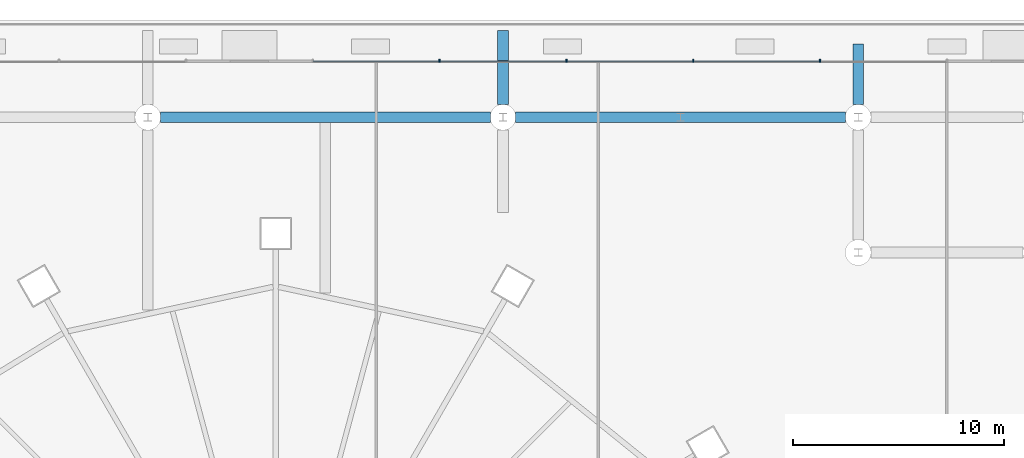
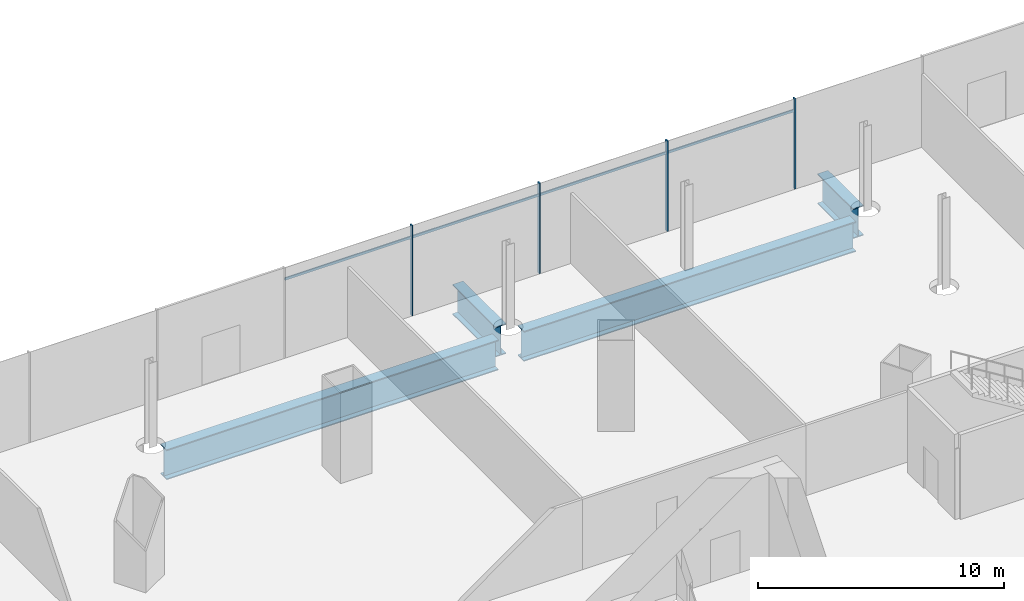
# One storey, part 31 of 56: 8 members, 4 beams, 1 element without a shape of its own.
"""IFC4 building model written with IfcOpenShell, lengths in metres."""

from ifc_helpers import new_model, si_unit, direction, frame, origin, origin_2d, place, context, subcontext, project, spatial, rectangle, i_section, extrude, material, material_profile, profile_set, type_object, element, aggregate, save


model = new_model("IFC4")

# Units and contexts
model_context = context("Model", 3, precision=1e-05, world=origin(), true_north=direction((0.0, 1.0)))
body_context = subcontext(model_context, "Body", "Model", "MODEL_VIEW")
ifc_project = project(units=[si_unit("LENGTHUNIT", "METRE"), si_unit("AREAUNIT", "SQUARE_METRE"), si_unit("VOLUMEUNIT", "CUBIC_METRE"), si_unit("PLANEANGLEUNIT", "RADIAN"), si_unit("MASSUNIT", "GRAM", prefix="KILO")], contexts=[model_context])

# Site, building, storey
site_placement = place(None, origin())
site = spatial("IfcSite", under=ifc_project, at=site_placement, CompositionType="ELEMENT")
building_placement = place(site_placement, origin())
building = spatial("IfcBuilding", under=site, at=building_placement, Name="Rimbun Link Towers", CompositionType="ELEMENT")
storey_placement = place(building_placement, frame((0.0, 0.0, 16.5)))
storey = spatial("IfcBuildingStorey", under=building, at=storey_placement, Name="L03", CompositionType="ELEMENT", Elevation=16.5)

# Curtain wall, members
ifc_material_1 = material(Name="Aluminium 6063-T6 and low-iron glass", Category="aluminium")
curtain_wall_type = type_object("IfcCurtainWallType", Name="CW3 podium shopfront", PredefinedType="NOTDEFINED", material=ifc_material_1)
curtain_wall_placement = place(storey_placement, origin())
curtain_wall = element("IfcCurtainWall", 1, at=curtain_wall_placement, inside=storey, type_object=curtain_wall_type, Name="CW3 L03 PD", PredefinedType="NOTDEFINED")
ifc_material_2 = material(Name="Aluminium 6063-T6", Category="aluminium")
ifc_material_profile_1 = material_profile(ifc_material_2, rectangle(XDim=0.14990234375, YDim=0.06005859375, at=origin_2d()), Name="MULLION 60X150")
ifc_profile_set_1 = profile_set([ifc_material_profile_1], Name="Aluminium 6063-T6")
member_type_1 = type_object("IfcMemberType", Name="CW3 mullion 60X150", PredefinedType="MULLION", material=ifc_profile_set_1)
member_1_placement = place(storey_placement, frame((-6.0, 30.074951171875, 0.0), z_axis=(0.0, 0.0, 1.0), x_axis=(0.0, 1.0, 0.0)))
member_1 = element("IfcMember", 2, at=member_1_placement, type_object=member_type_1, Name="CW3 mullion", PredefinedType="MULLION", context=body_context, shape_type="SweptSolid", body=[
    extrude(rectangle(XDim=0.14990234375, YDim=0.06005859375, at=origin_2d()), origin(), (0.0, 0.0, 1.0), 4.5),
])
member_2_placement = place(storey_placement, frame((-12.0, 30.074951171875, 0.0), z_axis=(0.0, 0.0, 1.0), x_axis=(0.0, 1.0, 0.0)))
member_2 = element("IfcMember", 3, at=member_2_placement, type_object=member_type_1, Name="CW3 mullion", PredefinedType="MULLION", context=body_context, shape_type="SweptSolid", body=[
    extrude(rectangle(XDim=0.14990234375, YDim=0.06005859375, at=origin_2d()), origin(), (0.0, 0.0, 1.0), 4.5),
])
member_3_placement = place(storey_placement, frame((-18.0, 30.074951171875, 0.0), z_axis=(0.0, 0.0, 1.0), x_axis=(0.0, 1.0, 0.0)))
member_3 = element("IfcMember", 4, at=member_3_placement, type_object=member_type_1, Name="CW3 mullion", PredefinedType="MULLION", context=body_context, shape_type="SweptSolid", body=[
    extrude(rectangle(XDim=0.14990234375, YDim=0.06005859375, at=origin_2d()), origin(), (0.0, 0.0, 1.0), 4.5),
])
member_4_placement = place(storey_placement, frame((-24.0, 30.074951171875, 0.0), z_axis=(0.0, 0.0, 1.0), x_axis=(0.0, 1.0, 0.0)))
member_4 = element("IfcMember", 5, at=member_4_placement, type_object=member_type_1, Name="CW3 mullion", PredefinedType="MULLION", context=body_context, shape_type="SweptSolid", body=[
    extrude(rectangle(XDim=0.14990234375, YDim=0.06005859375, at=origin_2d()), origin(), (0.0, 0.0, 1.0), 4.5),
])
ifc_material_3 = material(Name="Aluminium 6063-T6", Category="aluminium")
ifc_material_profile_2 = material_profile(ifc_material_3, rectangle(XDim=0.06005859375, YDim=0.1201171875, at=origin_2d()), Name="TRANSOM 60X120")
ifc_profile_set_2 = profile_set([ifc_material_profile_2], Name="Aluminium 6063-T6")
member_type_2 = type_object("IfcMemberType", Name="CW3 transom 60X120", PredefinedType="USERDEFINED", material=ifc_profile_set_2)
member_5_placement = place(storey_placement, frame((-11.969970703125, 30.053955078125, 3.89990234375), z_axis=(1.0, 0.0, 0.0), x_axis=(0.0, 1.0, 0.0)))
member_5 = element("IfcMember", 6, at=member_5_placement, type_object=member_type_2, Name="CW3 transom", ObjectType="TRANSOM", PredefinedType="USERDEFINED", context=body_context, shape_type="SweptSolid", body=[
    extrude(rectangle(XDim=0.06005859375, YDim=0.1201171875, at=origin_2d()), origin(), (0.0, 0.0, 1.0), 5.93994140625),
])
member_6_placement = place(storey_placement, frame((-17.969970703125, 30.053955078125, 3.89990234375), z_axis=(1.0, 0.0, 0.0), x_axis=(0.0, 1.0, 0.0)))
member_6 = element("IfcMember", 7, at=member_6_placement, type_object=member_type_2, Name="CW3 transom", ObjectType="TRANSOM", PredefinedType="USERDEFINED", context=body_context, shape_type="SweptSolid", body=[
    extrude(rectangle(XDim=0.06005859375, YDim=0.1201171875, at=origin_2d()), origin(), (0.0, 0.0, 1.0), 5.93994140625),
])
member_7_placement = place(storey_placement, frame((-23.969970703125, 30.053955078125, 3.89990234375), z_axis=(1.0, 0.0, 0.0), x_axis=(0.0, 1.0, 0.0)))
member_7 = element("IfcMember", 8, at=member_7_placement, type_object=member_type_2, Name="CW3 transom", ObjectType="TRANSOM", PredefinedType="USERDEFINED", context=body_context, shape_type="SweptSolid", body=[
    extrude(rectangle(XDim=0.06005859375, YDim=0.1201171875, at=origin_2d()), origin(), (0.0, 0.0, 1.0), 5.93994140625),
])
member_8_placement = place(storey_placement, frame((-29.969970703125, 30.053955078125, 3.89990234375), z_axis=(1.0, 0.0, 0.0), x_axis=(0.0, 1.0, 0.0)))
member_8 = element("IfcMember", 9, at=member_8_placement, type_object=member_type_2, Name="CW3 transom", ObjectType="TRANSOM", PredefinedType="USERDEFINED", context=body_context, shape_type="SweptSolid", body=[
    extrude(rectangle(XDim=0.06005859375, YDim=0.1201171875, at=origin_2d()), origin(), (0.0, 0.0, 1.0), 5.93994140625),
])
aggregate(curtain_wall, [member_1, member_2, member_3, member_4, member_5, member_6, member_7, member_8])

# Beams
ifc_material_4 = material(Name="Steel S355J2", Category="steel")
ifc_material_profile_3 = material_profile(ifc_material_4, i_section(OverallWidth=0.5, OverallDepth=1.5, WebThickness=0.030029296875, FlangeThickness=0.050048828125, at=origin_2d()), Name="PG 1500x500x30/50")
ifc_profile_set_3 = profile_set([ifc_material_profile_3], Name="Steel S355J2")
beam_type = type_object("IfcBeamType", Name="PG 1500x500x30/50", PredefinedType="BEAM", material=ifc_profile_set_3)
for number, where, z_axis, x_axis, name in (
    (10, (-37.199951171875, 27.39990234375, -1.050048828125), (1.0, 0.0, 0.0), (0.0, 1.0, 0.0), "Grid beam L03 +27.4"),
    (11, (-20.39990234375, 27.39990234375, -1.050048828125), (1.0, 0.0, 0.0), (0.0, 1.0, 0.0), "Grid beam L03 +27.4"),
):
    element("IfcBeam", number, at=place(storey_placement, frame(where, z_axis=z_axis, x_axis=x_axis)), inside=storey, type_object=beam_type, Name=name, PredefinedType="BEAM", context=body_context, shape_type="SweptSolid", body=[
        extrude(i_section(OverallWidth=0.5, OverallDepth=1.5, WebThickness=0.030029296875, FlangeThickness=0.050048828125, at=origin_2d()), origin(), (0.0, 0.0, 1.0), 15.599853515625),
    ])
beam_1_placement = place(storey_placement, frame((-21.0, 28.0, -1.050048828125), z_axis=(0.0, 1.0, 0.0), x_axis=(-1.0, 0.0, 0.0)))
element("IfcBeam", 12, at=beam_1_placement, inside=storey, type_object=beam_type, Name="Grid beam L03 -21.0", PredefinedType="BEAM", context=body_context, shape_type="SweptSolid", body=[
    extrude(i_section(OverallWidth=0.5, OverallDepth=1.5, WebThickness=0.030029296875, FlangeThickness=0.050048828125, at=origin_2d()), origin(), (0.0, 0.0, 1.0), 3.5),
])
beam_2_placement = place(storey_placement, frame((-4.199951171875, 28.0, -1.050048828125), z_axis=(0.0, 1.0, 0.0), x_axis=(-1.0, 0.0, 0.0)))
element("IfcBeam", 13, at=beam_2_placement, inside=storey, type_object=beam_type, Name="Grid beam L03 -4.2", PredefinedType="BEAM", context=body_context, shape_type="SweptSolid", body=[
    extrude(i_section(OverallWidth=0.5, OverallDepth=1.5, WebThickness=0.030029296875, FlangeThickness=0.050048828125, at=origin_2d()), origin(), (0.0, 0.0, 1.0), 2.875),
])

save(model, "model.ifc")
